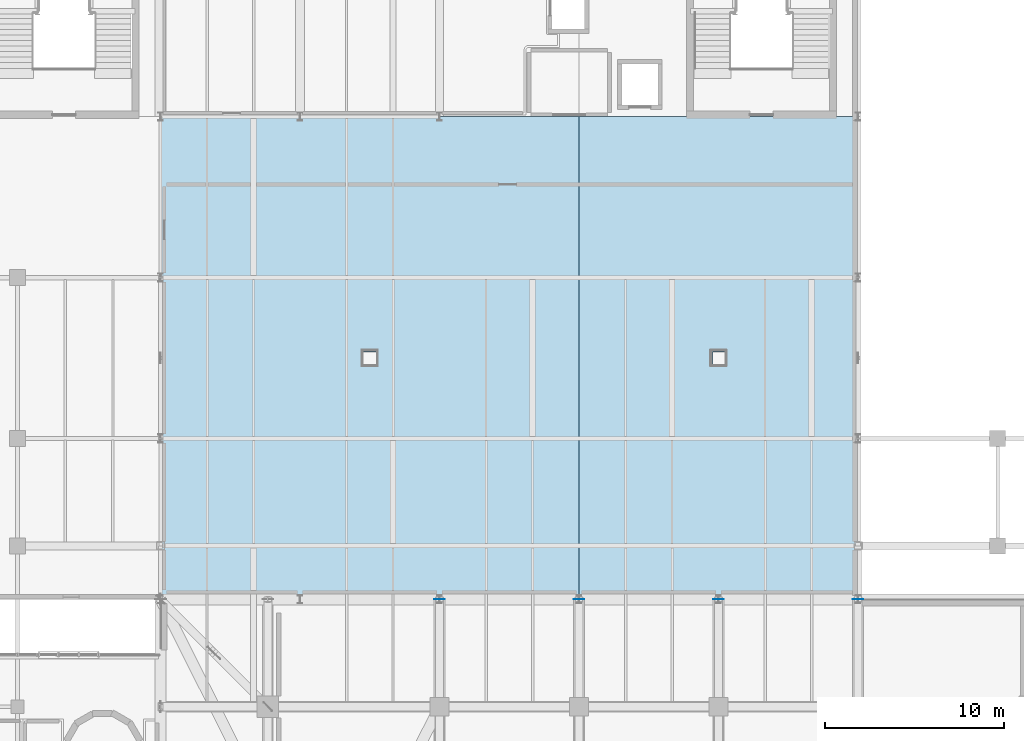
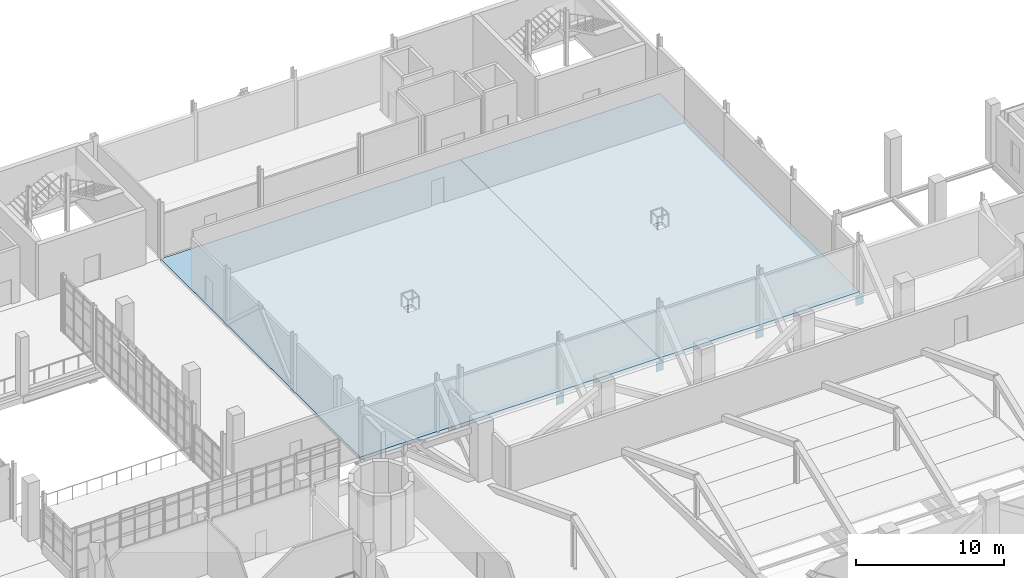
# One storey, part 95 of 127: 4 plates, 2 slabs.
"""IFC4 building model written with IfcOpenShell, lengths in metres."""

from ifc_helpers import new_model, si_unit, derived_unit, direction, frame, origin, origin_2d, place, context, subcontext, project, spatial, polyline, rectangle, outline, extrude, material, layer, layer_set, type_object, element, save


model = new_model("IFC4")

# Units and contexts
model_context = context("Model", 3, precision=1e-05, world=origin(), true_north=direction((0.0, 1.0)))
body_context = subcontext(model_context, "Body", "Model", "MODEL_VIEW")
ifc_project = project(units=[si_unit("LENGTHUNIT", "METRE"), si_unit("AREAUNIT", "SQUARE_METRE"), si_unit("VOLUMEUNIT", "CUBIC_METRE"), si_unit("PLANEANGLEUNIT", "RADIAN"), si_unit("MASSUNIT", "GRAM", prefix="KILO"), derived_unit("THERMALTRANSMITTANCEUNIT", [(si_unit("POWERUNIT", "WATT"), 1), (si_unit("LENGTHUNIT", "METRE"), -2), (si_unit("THERMODYNAMICTEMPERATUREUNIT", "KELVIN"), -1)])], contexts=[model_context])

# Site, building, storey
site_placement = place(None, origin())
site = spatial("IfcSite", under=ifc_project, at=site_placement, CompositionType="ELEMENT")
building_placement = place(site_placement, origin())
building = spatial("IfcBuilding", under=site, at=building_placement, Name="Nallur Shell Playhouse", CompositionType="ELEMENT")
storey_placement = place(building_placement, frame((0.0, 0.0, 5.39990234375)))
storey = spatial("IfcBuildingStorey", under=building, at=storey_placement, Name="L02", CompositionType="ELEMENT", Elevation=5.39990234375)

# Plates
ifc_material_1 = material(Name="Steel E350", Category="steel")
ifc_layer_1 = layer(ifc_material_1, 0.02001953125)
ifc_layer_set_1 = layer_set([ifc_layer_1], Name="Steel E350")
plate_type = type_object("IfcPlateType", Name="PT-ENDCAP-20", PredefinedType="SHEET", material=ifc_layer_set_1)
for number, where, z_axis, x_axis, name in (
    (1, (79.60009765625, 47.010009765625, -1.080078125), (0.0, 0.0, 1.0), (1.0, 0.0, 0.0), "Hollow end cap EC-TT-4-BC1"),
    (2, (87.39990234375, 47.010009765625, -1.080078125), (0.0, 0.0, 1.0), (1.0, 0.0, 0.0), "Hollow end cap EC-TT-5-BC1"),
    (3, (95.199951171875, 47.010009765625, -1.080078125), (0.0, 0.0, 1.0), (1.0, 0.0, 0.0), "Hollow end cap EC-TT-6-BC1"),
    (4, (103.0, 47.010009765625, -1.080078125), (0.0, 0.0, 1.0), (1.0, 0.0, 0.0), "Hollow end cap EC-TT-7-BC1"),
):
    element("IfcPlate", number, at=place(storey_placement, frame(where, z_axis=z_axis, x_axis=x_axis)), inside=storey, type_object=plate_type, Name=name, PredefinedType="SHEET", context=body_context, shape_type="SweptSolid", body=[
        extrude(rectangle(XDim=0.60009765625, YDim=0.02001953125, at=origin_2d()), origin(), (0.0, 0.0, 1.0), 0.800048828125),
    ])

# Slabs
ifc_material_2 = material(Name="Concrete M40", Category="concrete")
ifc_layer_2 = layer(ifc_material_2, 0.280029296875)
ifc_layer_set_2 = layer_set([ifc_layer_2], Name="Concrete M40")
slab_type = type_object("IfcSlabType", Name="SL-TRANS-280", PredefinedType="FLOOR", material=ifc_layer_set_2)
slab_1_placement = place(storey_placement, frame((0.0, 0.0, -0.27978515625)))
element("IfcSlab", 5, at=slab_1_placement, inside=storey, type_object=slab_type, Name="L02 structural floor slab panel 13", PredefinedType="FLOOR", context=body_context, shape_type="SweptSolid", body=[
    extrude(outline(polyline([(64.0, 74.0), (87.39990234375, 74.0), (87.39990234375, 47.0), (64.0, 47.0), (64.0, 74.0)]), holes=[polyline([(75.35009765625, 60.14990234375), (76.050048828125, 60.14990234375), (76.050048828125, 60.85009765625), (75.35009765625, 60.85009765625), (75.35009765625, 60.14990234375)])]), origin(), (0.0, 0.0, 1.0), 0.27978515625),
])
slab_2_placement = place(storey_placement, frame((0.0, 0.0, -0.27978515625)))
element("IfcSlab", 6, at=slab_2_placement, inside=storey, type_object=slab_type, Name="L02 structural floor slab panel 17", PredefinedType="FLOOR", context=body_context, shape_type="SweptSolid", body=[
    extrude(outline(polyline([(103.0, 47.0), (87.39990234375, 47.0), (87.39990234375, 74.0), (103.0, 74.0), (103.0, 47.0)]), holes=[polyline([(94.85009765625, 60.14990234375), (95.550048828125, 60.14990234375), (95.550048828125, 60.85009765625), (94.85009765625, 60.85009765625), (94.85009765625, 60.14990234375)])]), origin(), (0.0, 0.0, 1.0), 0.27978515625),
])

save(model, "model.ifc")
